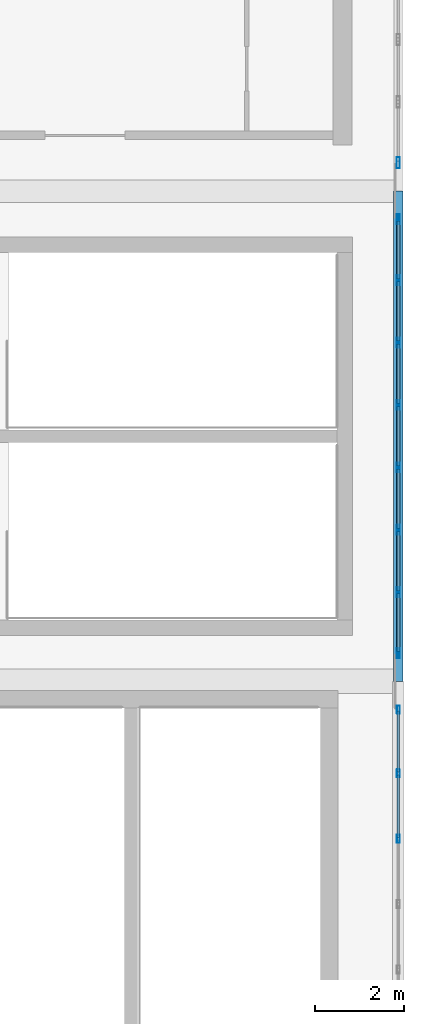
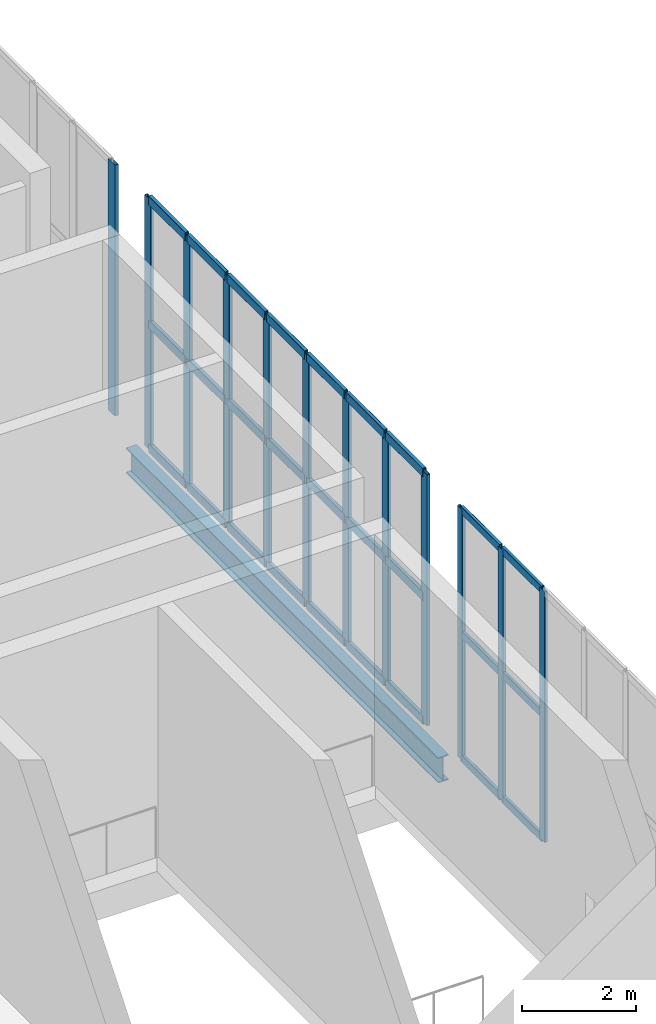
# One storey, part 31 of 74: 39 members, 1 beam, 3 elements without a shape of their own.
"""IFC4 building model written with IfcOpenShell, lengths in metres."""

from ifc_helpers import new_model, si_unit, direction, frame, origin, origin_2d, place, context, subcontext, project, spatial, hollow_rectangle, i_section, extrude, material, layer, layer_set, material_profile, profile_set, type_object, element, aggregate, save


model = new_model("IFC4")

# Units and contexts
model_context = context("Model", 3, precision=1e-05, world=origin(), true_north=direction((0.0, 1.0)))
body_context = subcontext(model_context, "Body", "Model", "MODEL_VIEW")
ifc_project = project(units=[si_unit("LENGTHUNIT", "METRE"), si_unit("AREAUNIT", "SQUARE_METRE"), si_unit("VOLUMEUNIT", "CUBIC_METRE"), si_unit("PLANEANGLEUNIT", "RADIAN"), si_unit("MASSUNIT", "GRAM", prefix="KILO")], contexts=[model_context])

# Site, building, storey
site_placement = place(None, origin())
site = spatial("IfcSite", under=ifc_project, at=site_placement, CompositionType="ELEMENT")
building_placement = place(site_placement, origin())
building = spatial("IfcBuilding", under=site, at=building_placement, Name="Brinegate Civic Arena", CompositionType="ELEMENT")
storey_placement = place(building_placement, frame((0.0, 0.0, 19.199951171875)))
storey = spatial("IfcBuildingStorey", under=building, at=storey_placement, Name="L04", CompositionType="ELEMENT", Elevation=19.199951171875)

# Curtain wall, members
ifc_material_1 = material(Name="Marine grade aluminium", Category="aluminium")
ifc_layer = layer(ifc_material_1, 0.199951171875, Name="Marine grade aluminium")
ifc_layer_set = layer_set([ifc_layer], Name="Marine grade aluminium")
curtain_wall_type = type_object("IfcCurtainWallType", Name="CW-BOWL-GLAZED-01", PredefinedType="USERDEFINED", material=ifc_layer_set)
curtain_wall_1_placement = place(storey_placement, origin())
curtain_wall_1 = element("IfcCurtainWall", 1, at=curtain_wall_1_placement, inside=storey, type_object=curtain_wall_type, Name="Curtain Wall CWA-134", ObjectType="GLAZED CURTAIN WALL", PredefinedType="USERDEFINED")
ifc_material_profile_1 = material_profile(ifc_material_1, hollow_rectangle(XDim=0.06494140625, YDim=0.179931640625, WallThickness=0.0048828125, InnerFilletRadius=0.00390625, OuterFilletRadius=0.008056640625, at=origin_2d()), Name="MUL65X180")
ifc_profile_set_1 = profile_set([ifc_material_profile_1], Name="Marine grade aluminium")
member_type_1 = type_object("IfcMemberType", Name="CW-MULLION-65X180", PredefinedType="MULLION", material=ifc_profile_set_1)
member_1_placement = place(storey_placement, frame((168.0, 16.466552734375, 0.0), z_axis=(0.0, 0.0, 1.0), x_axis=(-1.0, 0.0, 0.0)))
member_1 = element("IfcMember", 2, at=member_1_placement, type_object=member_type_1, Name="CWA-134 mullion 5", PredefinedType="MULLION", context=body_context, shape_type="SweptSolid", body=[
    extrude(hollow_rectangle(XDim=0.06494140625, YDim=0.179931640625, WallThickness=0.0048828125, InnerFilletRadius=0.00390625, OuterFilletRadius=0.008056640625, at=origin_2d()), origin(), (0.0, 0.0, 1.0), 5.400146484375),
])
member_2_placement = place(storey_placement, frame((168.0, 17.933349609375, 0.0), z_axis=(0.0, 0.0, 1.0), x_axis=(-1.0, 0.0, 0.0)))
member_2 = element("IfcMember", 3, at=member_2_placement, type_object=member_type_1, Name="CWA-134 mullion 6", PredefinedType="MULLION", context=body_context, shape_type="SweptSolid", body=[
    extrude(hollow_rectangle(XDim=0.06494140625, YDim=0.179931640625, WallThickness=0.0048828125, InnerFilletRadius=0.00390625, OuterFilletRadius=0.008056640625, at=origin_2d()), origin(), (0.0, 0.0, 1.0), 5.400146484375),
])
member_3_placement = place(storey_placement, frame((168.0, 19.367431640625, 0.0), z_axis=(0.0, 0.0, 1.0), x_axis=(-1.0, 0.0, 0.0)))
member_3 = element("IfcMember", 4, at=member_3_placement, type_object=member_type_1, Name="CWA-134 mullion 7", PredefinedType="MULLION", context=body_context, shape_type="SweptSolid", body=[
    extrude(hollow_rectangle(XDim=0.06494140625, YDim=0.179931640625, WallThickness=0.0048828125, InnerFilletRadius=0.00390625, OuterFilletRadius=0.008056640625, at=origin_2d()), origin(), (0.0, 0.0, 1.0), 5.400146484375),
])

curtain_wall_2_placement = place(storey_placement, origin())
curtain_wall_2 = element("IfcCurtainWall", 5, at=curtain_wall_2_placement, inside=storey, type_object=curtain_wall_type, Name="Curtain Wall CWA-135", ObjectType="GLAZED CURTAIN WALL", PredefinedType="USERDEFINED")
ifc_material_profile_2 = material_profile(ifc_material_1, hollow_rectangle(XDim=0.06494140625, YDim=0.219970703125, WallThickness=0.006103515625, InnerFilletRadius=0.00390625, OuterFilletRadius=0.008056640625, at=origin_2d()), Name="MUL65X220")
ifc_profile_set_2 = profile_set([ifc_material_profile_2], Name="Marine grade aluminium")
member_type_2 = type_object("IfcMemberType", Name="CW-MULLION-65X220", PredefinedType="MULLION", material=ifc_profile_set_2)
member_4_placement = place(storey_placement, frame((168.0, 20.632568359375, 0.0), z_axis=(0.0, 0.0, 1.0), x_axis=(-1.0, 0.0, 0.0)))
member_4 = element("IfcMember", 6, at=member_4_placement, type_object=member_type_2, Name="CWA-135 mullion 1", PredefinedType="MULLION", context=body_context, shape_type="SweptSolid", body=[
    extrude(hollow_rectangle(XDim=0.06494140625, YDim=0.219970703125, WallThickness=0.006103515625, InnerFilletRadius=0.00390625, OuterFilletRadius=0.008056640625, at=origin_2d()), origin(), (0.0, 0.0, 1.0), 5.400146484375),
])
member_5_placement = place(storey_placement, frame((168.0, 22.0, 0.0), z_axis=(0.0, 0.0, 1.0), x_axis=(-1.0, 0.0, 0.0)))
member_5 = element("IfcMember", 7, at=member_5_placement, type_object=member_type_2, Name="CWA-135 mullion 2", PredefinedType="MULLION", context=body_context, shape_type="SweptSolid", body=[
    extrude(hollow_rectangle(XDim=0.06494140625, YDim=0.219970703125, WallThickness=0.006103515625, InnerFilletRadius=0.00390625, OuterFilletRadius=0.008056640625, at=origin_2d()), origin(), (0.0, 0.0, 1.0), 5.400146484375),
])
member_6_placement = place(storey_placement, frame((168.0, 23.39990234375, 0.0), z_axis=(0.0, 0.0, 1.0), x_axis=(-1.0, 0.0, 0.0)))
member_6 = element("IfcMember", 8, at=member_6_placement, type_object=member_type_2, Name="CWA-135 mullion 3", PredefinedType="MULLION", context=body_context, shape_type="SweptSolid", body=[
    extrude(hollow_rectangle(XDim=0.06494140625, YDim=0.219970703125, WallThickness=0.006103515625, InnerFilletRadius=0.00390625, OuterFilletRadius=0.008056640625, at=origin_2d()), origin(), (0.0, 0.0, 1.0), 5.400146484375),
])
member_7_placement = place(storey_placement, frame((168.0, 24.800048828125, 0.0), z_axis=(0.0, 0.0, 1.0), x_axis=(-1.0, 0.0, 0.0)))
member_7 = element("IfcMember", 9, at=member_7_placement, type_object=member_type_2, Name="CWA-135 mullion 4", PredefinedType="MULLION", context=body_context, shape_type="SweptSolid", body=[
    extrude(hollow_rectangle(XDim=0.06494140625, YDim=0.219970703125, WallThickness=0.006103515625, InnerFilletRadius=0.00390625, OuterFilletRadius=0.008056640625, at=origin_2d()), origin(), (0.0, 0.0, 1.0), 5.400146484375),
])
member_8_placement = place(storey_placement, frame((168.0, 26.199951171875, 0.0), z_axis=(0.0, 0.0, 1.0), x_axis=(-1.0, 0.0, 0.0)))
member_8 = element("IfcMember", 10, at=member_8_placement, type_object=member_type_2, Name="CWA-135 mullion 5", PredefinedType="MULLION", context=body_context, shape_type="SweptSolid", body=[
    extrude(hollow_rectangle(XDim=0.06494140625, YDim=0.219970703125, WallThickness=0.006103515625, InnerFilletRadius=0.00390625, OuterFilletRadius=0.008056640625, at=origin_2d()), origin(), (0.0, 0.0, 1.0), 5.400146484375),
])
member_9_placement = place(storey_placement, frame((168.0, 27.60009765625, 0.0), z_axis=(0.0, 0.0, 1.0), x_axis=(-1.0, 0.0, 0.0)))
member_9 = element("IfcMember", 11, at=member_9_placement, type_object=member_type_2, Name="CWA-135 mullion 6", PredefinedType="MULLION", context=body_context, shape_type="SweptSolid", body=[
    extrude(hollow_rectangle(XDim=0.06494140625, YDim=0.219970703125, WallThickness=0.006103515625, InnerFilletRadius=0.00390625, OuterFilletRadius=0.008056640625, at=origin_2d()), origin(), (0.0, 0.0, 1.0), 5.400146484375),
])
member_10_placement = place(storey_placement, frame((168.0, 29.0, 0.0), z_axis=(0.0, 0.0, 1.0), x_axis=(-1.0, 0.0, 0.0)))
member_10 = element("IfcMember", 12, at=member_10_placement, type_object=member_type_2, Name="CWA-135 mullion 7", PredefinedType="MULLION", context=body_context, shape_type="SweptSolid", body=[
    extrude(hollow_rectangle(XDim=0.06494140625, YDim=0.219970703125, WallThickness=0.006103515625, InnerFilletRadius=0.00390625, OuterFilletRadius=0.008056640625, at=origin_2d()), origin(), (0.0, 0.0, 1.0), 5.400146484375),
])
member_11_placement = place(storey_placement, frame((168.0, 30.367431640625, 0.0), z_axis=(0.0, 0.0, 1.0), x_axis=(-1.0, 0.0, 0.0)))
member_11 = element("IfcMember", 13, at=member_11_placement, type_object=member_type_2, Name="CWA-135 mullion 8", PredefinedType="MULLION", context=body_context, shape_type="SweptSolid", body=[
    extrude(hollow_rectangle(XDim=0.06494140625, YDim=0.219970703125, WallThickness=0.006103515625, InnerFilletRadius=0.00390625, OuterFilletRadius=0.008056640625, at=origin_2d()), origin(), (0.0, 0.0, 1.0), 5.400146484375),
])

# Curtain wall, member
curtain_wall_3_placement = place(storey_placement, origin())
curtain_wall_3 = element("IfcCurtainWall", 14, at=curtain_wall_3_placement, inside=storey, type_object=curtain_wall_type, Name="Curtain Wall CWA-136", ObjectType="GLAZED CURTAIN WALL", PredefinedType="USERDEFINED")
ifc_material_profile_3 = material_profile(ifc_material_1, hollow_rectangle(XDim=0.074951171875, YDim=0.25, WallThickness=0.006103515625, InnerFilletRadius=0.00390625, OuterFilletRadius=0.008056640625, at=origin_2d()), Name="MUL75X250")
ifc_profile_set_3 = profile_set([ifc_material_profile_3], Name="Marine grade aluminium")
member_type_3 = type_object("IfcMemberType", Name="CW-MULLION-75X250", PredefinedType="MULLION", material=ifc_profile_set_3)
member_12_placement = place(storey_placement, frame((168.0, 31.637451171875, 0.0), z_axis=(0.0, 0.0, 1.0), x_axis=(-1.0, 0.0, 0.0)))
member_12 = element("IfcMember", 15, at=member_12_placement, type_object=member_type_3, Name="CWA-136 mullion 1", PredefinedType="MULLION", context=body_context, shape_type="SweptSolid", body=[
    extrude(hollow_rectangle(XDim=0.074951171875, YDim=0.25, WallThickness=0.006103515625, InnerFilletRadius=0.00390625, OuterFilletRadius=0.008056640625, at=origin_2d()), origin(), (0.0, 0.0, 1.0), 5.400146484375),
])
aggregate(curtain_wall_3, [member_12])

# Member
ifc_material_profile_4 = material_profile(ifc_material_1, hollow_rectangle(XDim=0.06494140625, YDim=0.1650390625, WallThickness=0.0048828125, InnerFilletRadius=0.00390625, OuterFilletRadius=0.008056640625, at=origin_2d()), Name="TRN65X165")
ifc_profile_set_4 = profile_set([ifc_material_profile_4], Name="Marine grade aluminium")
member_type_4 = type_object("IfcMemberType", Name="CW-TRANSOM-65X165", PredefinedType="USERDEFINED", material=ifc_profile_set_4)
member_13_placement = place(storey_placement, frame((168.0, 16.499267578125, 0.032470703125), z_axis=(0.0, 1.0, 0.0), x_axis=(-1.0, 0.0, 0.0)))
member_13 = element("IfcMember", 16, at=member_13_placement, type_object=member_type_4, Name="CWA-134 transom 5.1", ObjectType="TRANSOM", PredefinedType="USERDEFINED", context=body_context, shape_type="SweptSolid", body=[
    extrude(hollow_rectangle(XDim=0.06494140625, YDim=0.1650390625, WallThickness=0.0048828125, InnerFilletRadius=0.00390625, OuterFilletRadius=0.008056640625, at=origin_2d()), origin(), (0.0, 0.0, 1.0), 1.401611328125),
])

member_14_placement = place(storey_placement, frame((168.0, 16.499267578125, 2.699951171875), z_axis=(0.0, 1.0, 0.0), x_axis=(-1.0, 0.0, 0.0)))
member_14 = element("IfcMember", 17, at=member_14_placement, type_object=member_type_4, Name="CWA-134 transom 5.2", ObjectType="TRANSOM", PredefinedType="USERDEFINED", context=body_context, shape_type="SweptSolid", body=[
    extrude(hollow_rectangle(XDim=0.06494140625, YDim=0.1650390625, WallThickness=0.0048828125, InnerFilletRadius=0.00390625, OuterFilletRadius=0.008056640625, at=origin_2d()), origin(), (0.0, 0.0, 1.0), 1.401611328125),
])

member_15_placement = place(storey_placement, frame((168.0, 16.499267578125, 5.367431640625), z_axis=(0.0, 1.0, 0.0), x_axis=(-1.0, 0.0, 0.0)))
member_15 = element("IfcMember", 18, at=member_15_placement, type_object=member_type_4, Name="CWA-134 transom 5.3", ObjectType="TRANSOM", PredefinedType="USERDEFINED", context=body_context, shape_type="SweptSolid", body=[
    extrude(hollow_rectangle(XDim=0.06494140625, YDim=0.1650390625, WallThickness=0.0048828125, InnerFilletRadius=0.00390625, OuterFilletRadius=0.008056640625, at=origin_2d()), origin(), (0.0, 0.0, 1.0), 1.401611328125),
])

member_16_placement = place(storey_placement, frame((168.0, 17.9658203125, 0.032470703125), z_axis=(0.0, 1.0, 0.0), x_axis=(-1.0, 0.0, 0.0)))
member_16 = element("IfcMember", 19, at=member_16_placement, type_object=member_type_4, Name="CWA-134 transom 6.1", ObjectType="TRANSOM", PredefinedType="USERDEFINED", context=body_context, shape_type="SweptSolid", body=[
    extrude(hollow_rectangle(XDim=0.06494140625, YDim=0.1650390625, WallThickness=0.0048828125, InnerFilletRadius=0.00390625, OuterFilletRadius=0.008056640625, at=origin_2d()), origin(), (0.0, 0.0, 1.0), 1.369140625),
])

member_17_placement = place(storey_placement, frame((168.0, 17.9658203125, 2.699951171875), z_axis=(0.0, 1.0, 0.0), x_axis=(-1.0, 0.0, 0.0)))
member_17 = element("IfcMember", 20, at=member_17_placement, type_object=member_type_4, Name="CWA-134 transom 6.2", ObjectType="TRANSOM", PredefinedType="USERDEFINED", context=body_context, shape_type="SweptSolid", body=[
    extrude(hollow_rectangle(XDim=0.06494140625, YDim=0.1650390625, WallThickness=0.0048828125, InnerFilletRadius=0.00390625, OuterFilletRadius=0.008056640625, at=origin_2d()), origin(), (0.0, 0.0, 1.0), 1.369140625),
])

member_18_placement = place(storey_placement, frame((168.0, 17.9658203125, 5.367431640625), z_axis=(0.0, 1.0, 0.0), x_axis=(-1.0, 0.0, 0.0)))
member_18 = element("IfcMember", 21, at=member_18_placement, type_object=member_type_4, Name="CWA-134 transom 6.3", ObjectType="TRANSOM", PredefinedType="USERDEFINED", context=body_context, shape_type="SweptSolid", body=[
    extrude(hollow_rectangle(XDim=0.06494140625, YDim=0.1650390625, WallThickness=0.0048828125, InnerFilletRadius=0.00390625, OuterFilletRadius=0.008056640625, at=origin_2d()), origin(), (0.0, 0.0, 1.0), 1.369140625),
])

aggregate(curtain_wall_1, [member_1, member_2, member_3, member_13, member_14, member_15, member_16, member_17, member_18])

ifc_material_profile_5 = material_profile(ifc_material_1, hollow_rectangle(XDim=0.074951171875, YDim=0.18994140625, WallThickness=0.006103515625, InnerFilletRadius=0.00390625, OuterFilletRadius=0.008056640625, at=origin_2d()), Name="TRN75X190")
ifc_profile_set_5 = profile_set([ifc_material_profile_5], Name="Marine grade aluminium")
member_type_5 = type_object("IfcMemberType", Name="CW-TRANSOM-75X190", PredefinedType="USERDEFINED", material=ifc_profile_set_5)
member_19_placement = place(storey_placement, frame((168.0, 20.6650390625, 0.03759765625), z_axis=(0.0, 1.0, 0.0), x_axis=(-1.0, 0.0, 0.0)))
member_19 = element("IfcMember", 22, at=member_19_placement, type_object=member_type_5, Name="CWA-135 transom 1.1", ObjectType="TRANSOM", PredefinedType="USERDEFINED", context=body_context, shape_type="SweptSolid", body=[
    extrude(hollow_rectangle(XDim=0.074951171875, YDim=0.18994140625, WallThickness=0.006103515625, InnerFilletRadius=0.00390625, OuterFilletRadius=0.008056640625, at=origin_2d()), origin(), (0.0, 0.0, 1.0), 1.302490234375),
])

member_20_placement = place(storey_placement, frame((168.0, 20.6650390625, 2.699951171875), z_axis=(0.0, 1.0, 0.0), x_axis=(-1.0, 0.0, 0.0)))
member_20 = element("IfcMember", 23, at=member_20_placement, type_object=member_type_5, Name="CWA-135 transom 1.2", ObjectType="TRANSOM", PredefinedType="USERDEFINED", context=body_context, shape_type="SweptSolid", body=[
    extrude(hollow_rectangle(XDim=0.074951171875, YDim=0.18994140625, WallThickness=0.006103515625, InnerFilletRadius=0.00390625, OuterFilletRadius=0.008056640625, at=origin_2d()), origin(), (0.0, 0.0, 1.0), 1.302490234375),
])

member_21_placement = place(storey_placement, frame((168.0, 20.6650390625, 5.362548828125), z_axis=(0.0, 1.0, 0.0), x_axis=(-1.0, 0.0, 0.0)))
member_21 = element("IfcMember", 24, at=member_21_placement, type_object=member_type_5, Name="CWA-135 transom 1.3", ObjectType="TRANSOM", PredefinedType="USERDEFINED", context=body_context, shape_type="SweptSolid", body=[
    extrude(hollow_rectangle(XDim=0.074951171875, YDim=0.18994140625, WallThickness=0.006103515625, InnerFilletRadius=0.00390625, OuterFilletRadius=0.008056640625, at=origin_2d()), origin(), (0.0, 0.0, 1.0), 1.302490234375),
])

member_22_placement = place(storey_placement, frame((168.0, 22.032470703125, 0.03759765625), z_axis=(0.0, 1.0, 0.0), x_axis=(-1.0, 0.0, 0.0)))
member_22 = element("IfcMember", 25, at=member_22_placement, type_object=member_type_5, Name="CWA-135 transom 2.1", ObjectType="TRANSOM", PredefinedType="USERDEFINED", context=body_context, shape_type="SweptSolid", body=[
    extrude(hollow_rectangle(XDim=0.074951171875, YDim=0.18994140625, WallThickness=0.006103515625, InnerFilletRadius=0.00390625, OuterFilletRadius=0.008056640625, at=origin_2d()), origin(), (0.0, 0.0, 1.0), 1.3349609375),
])

member_23_placement = place(storey_placement, frame((168.0, 22.032470703125, 2.699951171875), z_axis=(0.0, 1.0, 0.0), x_axis=(-1.0, 0.0, 0.0)))
member_23 = element("IfcMember", 26, at=member_23_placement, type_object=member_type_5, Name="CWA-135 transom 2.2", ObjectType="TRANSOM", PredefinedType="USERDEFINED", context=body_context, shape_type="SweptSolid", body=[
    extrude(hollow_rectangle(XDim=0.074951171875, YDim=0.18994140625, WallThickness=0.006103515625, InnerFilletRadius=0.00390625, OuterFilletRadius=0.008056640625, at=origin_2d()), origin(), (0.0, 0.0, 1.0), 1.3349609375),
])

member_24_placement = place(storey_placement, frame((168.0, 22.032470703125, 5.362548828125), z_axis=(0.0, 1.0, 0.0), x_axis=(-1.0, 0.0, 0.0)))
member_24 = element("IfcMember", 27, at=member_24_placement, type_object=member_type_5, Name="CWA-135 transom 2.3", ObjectType="TRANSOM", PredefinedType="USERDEFINED", context=body_context, shape_type="SweptSolid", body=[
    extrude(hollow_rectangle(XDim=0.074951171875, YDim=0.18994140625, WallThickness=0.006103515625, InnerFilletRadius=0.00390625, OuterFilletRadius=0.008056640625, at=origin_2d()), origin(), (0.0, 0.0, 1.0), 1.3349609375),
])

member_25_placement = place(storey_placement, frame((168.0, 23.4326171875, 0.03759765625), z_axis=(0.0, 1.0, 0.0), x_axis=(-1.0, 0.0, 0.0)))
member_25 = element("IfcMember", 28, at=member_25_placement, type_object=member_type_5, Name="CWA-135 transom 3.1", ObjectType="TRANSOM", PredefinedType="USERDEFINED", context=body_context, shape_type="SweptSolid", body=[
    extrude(hollow_rectangle(XDim=0.074951171875, YDim=0.18994140625, WallThickness=0.006103515625, InnerFilletRadius=0.00390625, OuterFilletRadius=0.008056640625, at=origin_2d()), origin(), (0.0, 0.0, 1.0), 1.3349609375),
])

member_26_placement = place(storey_placement, frame((168.0, 23.4326171875, 2.699951171875), z_axis=(0.0, 1.0, 0.0), x_axis=(-1.0, 0.0, 0.0)))
member_26 = element("IfcMember", 29, at=member_26_placement, type_object=member_type_5, Name="CWA-135 transom 3.2", ObjectType="TRANSOM", PredefinedType="USERDEFINED", context=body_context, shape_type="SweptSolid", body=[
    extrude(hollow_rectangle(XDim=0.074951171875, YDim=0.18994140625, WallThickness=0.006103515625, InnerFilletRadius=0.00390625, OuterFilletRadius=0.008056640625, at=origin_2d()), origin(), (0.0, 0.0, 1.0), 1.3349609375),
])

member_27_placement = place(storey_placement, frame((168.0, 23.4326171875, 5.362548828125), z_axis=(0.0, 1.0, 0.0), x_axis=(-1.0, 0.0, 0.0)))
member_27 = element("IfcMember", 30, at=member_27_placement, type_object=member_type_5, Name="CWA-135 transom 3.3", ObjectType="TRANSOM", PredefinedType="USERDEFINED", context=body_context, shape_type="SweptSolid", body=[
    extrude(hollow_rectangle(XDim=0.074951171875, YDim=0.18994140625, WallThickness=0.006103515625, InnerFilletRadius=0.00390625, OuterFilletRadius=0.008056640625, at=origin_2d()), origin(), (0.0, 0.0, 1.0), 1.3349609375),
])

member_28_placement = place(storey_placement, frame((168.0, 24.83251953125, 0.03759765625), z_axis=(0.0, 1.0, 0.0), x_axis=(-1.0, 0.0, 0.0)))
member_28 = element("IfcMember", 31, at=member_28_placement, type_object=member_type_5, Name="CWA-135 transom 4.1", ObjectType="TRANSOM", PredefinedType="USERDEFINED", context=body_context, shape_type="SweptSolid", body=[
    extrude(hollow_rectangle(XDim=0.074951171875, YDim=0.18994140625, WallThickness=0.006103515625, InnerFilletRadius=0.00390625, OuterFilletRadius=0.008056640625, at=origin_2d()), origin(), (0.0, 0.0, 1.0), 1.3349609375),
])

member_29_placement = place(storey_placement, frame((168.0, 24.83251953125, 2.699951171875), z_axis=(0.0, 1.0, 0.0), x_axis=(-1.0, 0.0, 0.0)))
member_29 = element("IfcMember", 32, at=member_29_placement, type_object=member_type_5, Name="CWA-135 transom 4.2", ObjectType="TRANSOM", PredefinedType="USERDEFINED", context=body_context, shape_type="SweptSolid", body=[
    extrude(hollow_rectangle(XDim=0.074951171875, YDim=0.18994140625, WallThickness=0.006103515625, InnerFilletRadius=0.00390625, OuterFilletRadius=0.008056640625, at=origin_2d()), origin(), (0.0, 0.0, 1.0), 1.3349609375),
])

member_30_placement = place(storey_placement, frame((168.0, 24.83251953125, 5.362548828125), z_axis=(0.0, 1.0, 0.0), x_axis=(-1.0, 0.0, 0.0)))
member_30 = element("IfcMember", 33, at=member_30_placement, type_object=member_type_5, Name="CWA-135 transom 4.3", ObjectType="TRANSOM", PredefinedType="USERDEFINED", context=body_context, shape_type="SweptSolid", body=[
    extrude(hollow_rectangle(XDim=0.074951171875, YDim=0.18994140625, WallThickness=0.006103515625, InnerFilletRadius=0.00390625, OuterFilletRadius=0.008056640625, at=origin_2d()), origin(), (0.0, 0.0, 1.0), 1.3349609375),
])

member_31_placement = place(storey_placement, frame((168.0, 26.232421875, 0.03759765625), z_axis=(0.0, 1.0, 0.0), x_axis=(-1.0, 0.0, 0.0)))
member_31 = element("IfcMember", 34, at=member_31_placement, type_object=member_type_5, Name="CWA-135 transom 5.1", ObjectType="TRANSOM", PredefinedType="USERDEFINED", context=body_context, shape_type="SweptSolid", body=[
    extrude(hollow_rectangle(XDim=0.074951171875, YDim=0.18994140625, WallThickness=0.006103515625, InnerFilletRadius=0.00390625, OuterFilletRadius=0.008056640625, at=origin_2d()), origin(), (0.0, 0.0, 1.0), 1.3349609375),
])

member_32_placement = place(storey_placement, frame((168.0, 26.232421875, 2.699951171875), z_axis=(0.0, 1.0, 0.0), x_axis=(-1.0, 0.0, 0.0)))
member_32 = element("IfcMember", 35, at=member_32_placement, type_object=member_type_5, Name="CWA-135 transom 5.2", ObjectType="TRANSOM", PredefinedType="USERDEFINED", context=body_context, shape_type="SweptSolid", body=[
    extrude(hollow_rectangle(XDim=0.074951171875, YDim=0.18994140625, WallThickness=0.006103515625, InnerFilletRadius=0.00390625, OuterFilletRadius=0.008056640625, at=origin_2d()), origin(), (0.0, 0.0, 1.0), 1.3349609375),
])

member_33_placement = place(storey_placement, frame((168.0, 26.232421875, 5.362548828125), z_axis=(0.0, 1.0, 0.0), x_axis=(-1.0, 0.0, 0.0)))
member_33 = element("IfcMember", 36, at=member_33_placement, type_object=member_type_5, Name="CWA-135 transom 5.3", ObjectType="TRANSOM", PredefinedType="USERDEFINED", context=body_context, shape_type="SweptSolid", body=[
    extrude(hollow_rectangle(XDim=0.074951171875, YDim=0.18994140625, WallThickness=0.006103515625, InnerFilletRadius=0.00390625, OuterFilletRadius=0.008056640625, at=origin_2d()), origin(), (0.0, 0.0, 1.0), 1.3349609375),
])

member_34_placement = place(storey_placement, frame((168.0, 27.632568359375, 0.03759765625), z_axis=(0.0, 1.0, 0.0), x_axis=(-1.0, 0.0, 0.0)))
member_34 = element("IfcMember", 37, at=member_34_placement, type_object=member_type_5, Name="CWA-135 transom 6.1", ObjectType="TRANSOM", PredefinedType="USERDEFINED", context=body_context, shape_type="SweptSolid", body=[
    extrude(hollow_rectangle(XDim=0.074951171875, YDim=0.18994140625, WallThickness=0.006103515625, InnerFilletRadius=0.00390625, OuterFilletRadius=0.008056640625, at=origin_2d()), origin(), (0.0, 0.0, 1.0), 1.3349609375),
])

member_35_placement = place(storey_placement, frame((168.0, 27.632568359375, 2.699951171875), z_axis=(0.0, 1.0, 0.0), x_axis=(-1.0, 0.0, 0.0)))
member_35 = element("IfcMember", 38, at=member_35_placement, type_object=member_type_5, Name="CWA-135 transom 6.2", ObjectType="TRANSOM", PredefinedType="USERDEFINED", context=body_context, shape_type="SweptSolid", body=[
    extrude(hollow_rectangle(XDim=0.074951171875, YDim=0.18994140625, WallThickness=0.006103515625, InnerFilletRadius=0.00390625, OuterFilletRadius=0.008056640625, at=origin_2d()), origin(), (0.0, 0.0, 1.0), 1.3349609375),
])

member_36_placement = place(storey_placement, frame((168.0, 27.632568359375, 5.362548828125), z_axis=(0.0, 1.0, 0.0), x_axis=(-1.0, 0.0, 0.0)))
member_36 = element("IfcMember", 39, at=member_36_placement, type_object=member_type_5, Name="CWA-135 transom 6.3", ObjectType="TRANSOM", PredefinedType="USERDEFINED", context=body_context, shape_type="SweptSolid", body=[
    extrude(hollow_rectangle(XDim=0.074951171875, YDim=0.18994140625, WallThickness=0.006103515625, InnerFilletRadius=0.00390625, OuterFilletRadius=0.008056640625, at=origin_2d()), origin(), (0.0, 0.0, 1.0), 1.3349609375),
])

member_37_placement = place(storey_placement, frame((168.0, 29.032470703125, 0.03759765625), z_axis=(0.0, 1.0, 0.0), x_axis=(-1.0, 0.0, 0.0)))
member_37 = element("IfcMember", 40, at=member_37_placement, type_object=member_type_5, Name="CWA-135 transom 7.1", ObjectType="TRANSOM", PredefinedType="USERDEFINED", context=body_context, shape_type="SweptSolid", body=[
    extrude(hollow_rectangle(XDim=0.074951171875, YDim=0.18994140625, WallThickness=0.006103515625, InnerFilletRadius=0.00390625, OuterFilletRadius=0.008056640625, at=origin_2d()), origin(), (0.0, 0.0, 1.0), 1.302490234375),
])

member_38_placement = place(storey_placement, frame((168.0, 29.032470703125, 2.699951171875), z_axis=(0.0, 1.0, 0.0), x_axis=(-1.0, 0.0, 0.0)))
member_38 = element("IfcMember", 41, at=member_38_placement, type_object=member_type_5, Name="CWA-135 transom 7.2", ObjectType="TRANSOM", PredefinedType="USERDEFINED", context=body_context, shape_type="SweptSolid", body=[
    extrude(hollow_rectangle(XDim=0.074951171875, YDim=0.18994140625, WallThickness=0.006103515625, InnerFilletRadius=0.00390625, OuterFilletRadius=0.008056640625, at=origin_2d()), origin(), (0.0, 0.0, 1.0), 1.302490234375),
])

member_39_placement = place(storey_placement, frame((168.0, 29.032470703125, 5.362548828125), z_axis=(0.0, 1.0, 0.0), x_axis=(-1.0, 0.0, 0.0)))
member_39 = element("IfcMember", 42, at=member_39_placement, type_object=member_type_5, Name="CWA-135 transom 7.3", ObjectType="TRANSOM", PredefinedType="USERDEFINED", context=body_context, shape_type="SweptSolid", body=[
    extrude(hollow_rectangle(XDim=0.074951171875, YDim=0.18994140625, WallThickness=0.006103515625, InnerFilletRadius=0.00390625, OuterFilletRadius=0.008056640625, at=origin_2d()), origin(), (0.0, 0.0, 1.0), 1.302490234375),
])

aggregate(curtain_wall_2, [member_4, member_5, member_6, member_7, member_8, member_9, member_10, member_11, member_19, member_20, member_21, member_22, member_23, member_24, member_25, member_26, member_27, member_28, member_29, member_30, member_31, member_32, member_33, member_34, member_35, member_36, member_37, member_38, member_39])

# Beam
ifc_material_2 = material(Name="Steel S355", Category="steel")
ifc_material_profile_6 = material_profile(ifc_material_2, i_section(OverallWidth=0.2119140625, OverallDepth=0.5439453125, WebThickness=0.012939453125, FlangeThickness=0.02099609375, FilletRadius=0.01611328125, at=origin_2d()), Name="W530X123")
ifc_profile_set_6 = profile_set([ifc_material_profile_6], Name="Steel S355")
beam_type = type_object("IfcBeamType", Name="SPANDREL-W530X123", PredefinedType="SPANDREL", material=ifc_profile_set_6)
beam_placement = place(storey_placement, frame((168.0, 20.0, -0.612060546875), z_axis=(0.0, 1.0, 0.0), x_axis=(-1.0, 0.0, 0.0)))
element("IfcBeam", 43, at=beam_placement, inside=storey, type_object=beam_type, Name="Floor Girder BM-L04-GY-14-02", PredefinedType="SPANDREL", context=body_context, shape_type="SweptSolid", body=[
    extrude(i_section(OverallWidth=0.2119140625, OverallDepth=0.5439453125, WebThickness=0.012939453125, FlangeThickness=0.02099609375, FilletRadius=0.01611328125, at=origin_2d()), origin(), (0.0, 0.0, 1.0), 11.0),
])

save(model, "model.ifc")
